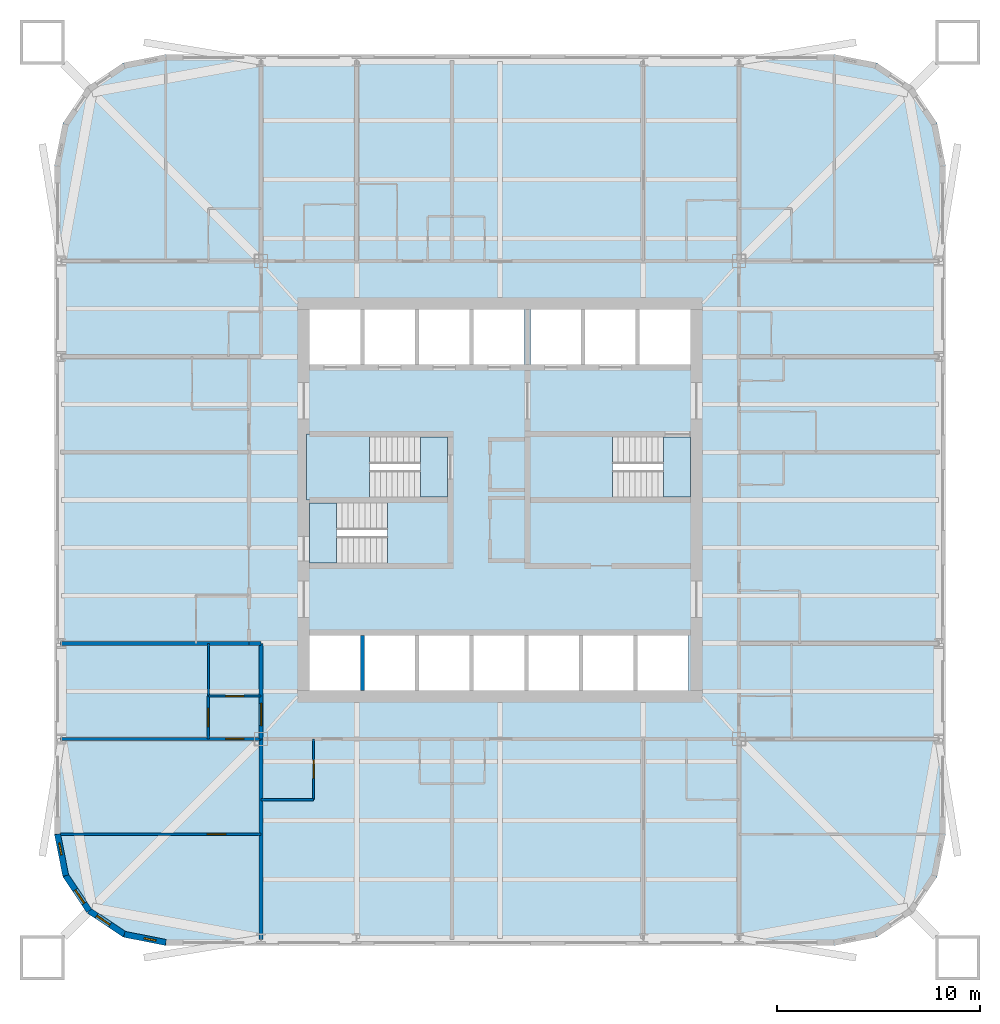
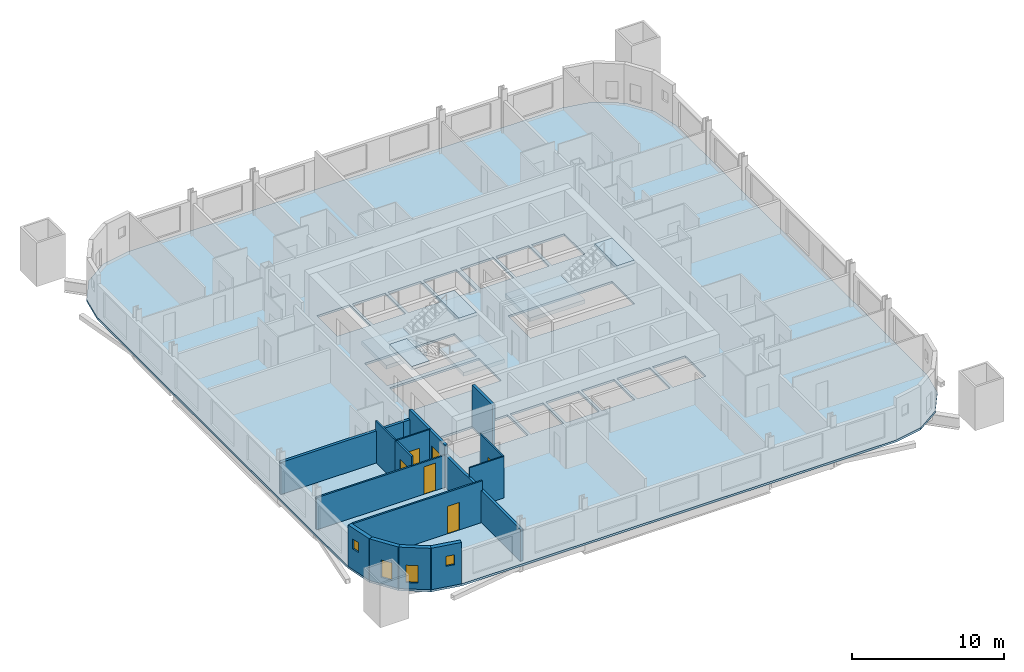
# One storey, part 2 of 9: 16 walls, 7 slabs, 6 doors, 4 windows, 10 openings, 3 elements without a shape of their own.
"""IFC4 building model written with IfcOpenShell, lengths in metres."""

from ifc_helpers import new_model, si_unit, direction, frame, frame_2d, origin, place, context, subcontext, project, spatial, polyline, rectangle, outline, extrude, material, layer, layer_set, type_object, element, fill, aggregate, save


model = new_model("IFC4")

# Units and contexts
model_context = context("Model", 3, precision=1e-05, world=origin(), true_north=direction((0.0, 1.0)))
body_context = subcontext(model_context, "Body", "Model", "MODEL_VIEW")
ifc_project = project(units=[si_unit("LENGTHUNIT", "METRE"), si_unit("AREAUNIT", "SQUARE_METRE"), si_unit("VOLUMEUNIT", "CUBIC_METRE"), si_unit("PLANEANGLEUNIT", "RADIAN"), si_unit("MASSUNIT", "GRAM", prefix="KILO")], contexts=[model_context])

# Site, building, storey
site_placement = place(None, origin())
site = spatial("IfcSite", under=ifc_project, at=site_placement, CompositionType="ELEMENT")
building_placement = place(site_placement, origin())
building = spatial("IfcBuilding", under=site, at=building_placement, Name="Turquesa Mirador Hotel Tower", CompositionType="ELEMENT")
storey_placement = place(building_placement, frame((0.0, 0.0, 81.0)))
storey = spatial("IfcBuildingStorey", under=building, at=storey_placement, Name="L21", CompositionType="ELEMENT", Elevation=81.0)

# Slab
ifc_material_1 = material(Name="Concrete C28/35", Category="concrete")
ifc_layer_1 = layer(ifc_material_1, 0.169921875)
ifc_layer_set_1 = layer_set([ifc_layer_1], Name="COMPOSITE FLOOR SLAB 170")
slab_type_1 = type_object("IfcSlabType", Name="COMPOSITE FLOOR SLAB 170", PredefinedType="FLOOR", material=ifc_layer_set_1)
slab_1_placement = place(storey_placement, frame((0.0, 0.0, -0.169921875)))
element("IfcSlab", 1, at=slab_1_placement, inside=storey, type_object=slab_type_1, Name="Floor slab L21", PredefinedType="FLOOR", context=body_context, shape_type="SweptSolid", body=[
    extrude(outline(polyline([(71.5, 23.0), (73.604736328125, 23.418701171875), (75.38916015625, 24.61083984375), (76.581298828125, 26.395263671875), (77.0, 28.5), (77.0, 61.5), (76.581298828125, 63.604736328125), (75.38916015625, 65.38916015625), (73.604736328125, 66.581298828125), (71.5, 67.0), (38.5, 67.0), (36.395263671875, 66.581298828125), (34.61083984375, 65.38916015625), (33.418701171875, 63.604736328125), (33.0, 61.5), (33.0, 28.5), (33.418701171875, 26.395263671875), (34.61083984375, 24.61083984375), (36.395263671875, 23.418701171875), (38.5, 23.0), (71.5, 23.0)]), holes=[polyline([(45.60009765625, 51.699951171875), (48.10009765625, 51.699951171875), (48.10009765625, 54.39990234375), (45.60009765625, 54.39990234375), (45.60009765625, 51.699951171875)]), polyline([(48.300048828125, 51.699951171875), (50.800048828125, 51.699951171875), (50.800048828125, 54.39990234375), (48.300048828125, 54.39990234375), (48.300048828125, 51.699951171875)]), polyline([(51.0, 51.699951171875), (53.5, 51.699951171875), (53.5, 54.39990234375), (51.0, 54.39990234375), (51.0, 51.699951171875)]), polyline([(53.699951171875, 51.699951171875), (56.199951171875, 51.699951171875), (56.199951171875, 54.39990234375), (53.699951171875, 54.39990234375), (53.699951171875, 51.699951171875)]), polyline([(56.5, 51.699951171875), (59.0, 51.699951171875), (59.0, 54.39990234375), (56.5, 54.39990234375), (56.5, 51.699951171875)]), polyline([(59.199951171875, 51.699951171875), (61.699951171875, 51.699951171875), (61.699951171875, 54.39990234375), (59.199951171875, 54.39990234375), (59.199951171875, 51.699951171875)]), polyline([(45.60009765625, 35.60009765625), (48.10009765625, 35.60009765625), (48.10009765625, 38.300048828125), (45.60009765625, 38.300048828125), (45.60009765625, 35.60009765625)]), polyline([(48.300048828125, 35.60009765625), (50.800048828125, 35.60009765625), (50.800048828125, 38.300048828125), (48.300048828125, 38.300048828125), (48.300048828125, 35.60009765625)]), polyline([(51.0, 35.60009765625), (53.5, 35.60009765625), (53.5, 38.300048828125), (51.0, 38.300048828125), (51.0, 35.60009765625)]), polyline([(53.699951171875, 35.60009765625), (56.199951171875, 35.60009765625), (56.199951171875, 38.300048828125), (53.699951171875, 38.300048828125), (53.699951171875, 35.60009765625)]), polyline([(56.39990234375, 35.60009765625), (58.89990234375, 35.60009765625), (58.89990234375, 38.300048828125), (56.39990234375, 38.300048828125), (56.39990234375, 35.60009765625)]), polyline([(59.10009765625, 35.60009765625), (61.60009765625, 35.60009765625), (61.60009765625, 38.300048828125), (59.10009765625, 38.300048828125), (59.10009765625, 35.60009765625)]), polyline([(61.800048828125, 35.60009765625), (64.300048828125, 35.60009765625), (64.300048828125, 38.300048828125), (61.800048828125, 38.300048828125), (61.800048828125, 35.60009765625)]), polyline([(45.60009765625, 45.14990234375), (52.39990234375, 45.14990234375), (52.39990234375, 48.10009765625), (45.60009765625, 48.10009765625), (45.60009765625, 45.14990234375)]), polyline([(45.60009765625, 41.89990234375), (52.39990234375, 41.89990234375), (52.39990234375, 44.85009765625), (45.60009765625, 44.85009765625), (45.60009765625, 41.89990234375)]), polyline([(56.5, 45.14990234375), (64.39990234375, 45.14990234375), (64.39990234375, 48.10009765625), (56.5, 48.10009765625), (56.5, 45.14990234375)]), polyline([(61.89990234375, 51.699951171875), (64.39990234375, 51.699951171875), (64.39990234375, 54.39990234375), (61.89990234375, 54.39990234375), (61.89990234375, 51.699951171875)])]), origin(), (0.0, 0.0, 1.0), 0.169921875),
])

# Stair, slabs
ifc_material_2 = material(Name="Concrete C35/45", Category="concrete")
stair_type = type_object("IfcStairType", Name="ESCAPE STAIR CORE", PredefinedType="HALF_TURN_STAIR", material=ifc_material_2)
stair_1_placement = place(storey_placement, origin())
stair_1 = element("IfcStair", 2, at=stair_1_placement, inside=storey, type_object=stair_type, Name="Stair ST1 L21 to L22", PredefinedType="HALF_TURN_STAIR")
ifc_material_3 = material(Name="Concrete C35/45", Category="concrete")
ifc_layer_2 = layer(ifc_material_3, 0.300048828125)
ifc_layer_set_2 = layer_set([ifc_layer_2], Name="STAIR LANDING 300")
slab_type_2 = type_object("IfcSlabType", Name="STAIR LANDING 300", PredefinedType="LANDING", material=ifc_layer_set_2)
slab_2_placement = place(storey_placement, frame((0.0, 0.0, 1.449951171875)))
slab_2 = element("IfcSlab", 3, at=slab_2_placement, type_object=slab_type_2, Name="ST1 landing 1", PredefinedType="LANDING", context=body_context, shape_type="SweptSolid", body=[
    extrude(outline(polyline([(45.449951171875, 45.0), (48.550048828125, 45.0), (48.550048828125, 48.25), (45.449951171875, 48.25), (45.449951171875, 45.0)])), origin(), (0.0, 0.0, 1.0), 0.300048828125),
])
slab_3_placement = place(storey_placement, frame((0.0, 0.0, 3.199951171875)))
slab_3 = element("IfcSlab", 4, at=slab_3_placement, type_object=slab_type_2, Name="ST1 landing 2", PredefinedType="LANDING", context=body_context, shape_type="SweptSolid", body=[
    extrude(outline(polyline([(51.070068359375, 45.14990234375), (52.39990234375, 45.14990234375), (52.39990234375, 48.10009765625), (51.070068359375, 48.10009765625), (51.070068359375, 45.14990234375)])), origin(), (0.0, 0.0, 1.0), 0.300048828125),
])
aggregate(stair_1, [slab_2, slab_3])

stair_2_placement = place(storey_placement, origin())
stair_2 = element("IfcStair", 5, at=stair_2_placement, inside=storey, type_object=stair_type, Name="Stair ST2 L21 to L22", PredefinedType="HALF_TURN_STAIR")
slab_4_placement = place(storey_placement, frame((0.0, 0.0, 1.449951171875)))
slab_4 = element("IfcSlab", 6, at=slab_4_placement, type_object=slab_type_2, Name="ST2 landing 1", PredefinedType="LANDING", context=body_context, shape_type="SweptSolid", body=[
    extrude(outline(polyline([(52.550048828125, 45.0), (49.449951171875, 45.0), (49.449951171875, 41.75), (52.550048828125, 41.75), (52.550048828125, 45.0)])), origin(), (0.0, 0.0, 1.0), 0.300048828125),
])
slab_5_placement = place(storey_placement, frame((0.0, 0.0, 3.199951171875)))
slab_5 = element("IfcSlab", 7, at=slab_5_placement, type_object=slab_type_2, Name="ST2 landing 2", PredefinedType="LANDING", context=body_context, shape_type="SweptSolid", body=[
    extrude(outline(polyline([(46.929931640625, 44.85009765625), (45.60009765625, 44.85009765625), (45.60009765625, 41.89990234375), (46.929931640625, 41.89990234375), (46.929931640625, 44.85009765625)])), origin(), (0.0, 0.0, 1.0), 0.300048828125),
])
aggregate(stair_2, [slab_4, slab_5])

stair_3_placement = place(storey_placement, origin())
stair_3 = element("IfcStair", 8, at=stair_3_placement, inside=storey, type_object=stair_type, Name="Stair ST3 L21 to L22", PredefinedType="HALF_TURN_STAIR")
slab_6_placement = place(storey_placement, frame((0.0, 0.0, 1.449951171875)))
slab_6 = element("IfcSlab", 9, at=slab_6_placement, type_object=slab_type_2, Name="ST3 landing 1", PredefinedType="LANDING", context=body_context, shape_type="SweptSolid", body=[
    extrude(outline(polyline([(56.35009765625, 45.0), (60.550048828125, 45.0), (60.550048828125, 48.25), (56.35009765625, 48.25), (56.35009765625, 45.0)])), origin(), (0.0, 0.0, 1.0), 0.300048828125),
])
slab_7_placement = place(storey_placement, frame((0.0, 0.0, 3.199951171875)))
slab_7 = element("IfcSlab", 10, at=slab_7_placement, type_object=slab_type_2, Name="ST3 landing 2", PredefinedType="LANDING", context=body_context, shape_type="SweptSolid", body=[
    extrude(outline(polyline([(63.070068359375, 45.14990234375), (64.39990234375, 45.14990234375), (64.39990234375, 48.10009765625), (63.070068359375, 48.10009765625), (63.070068359375, 45.14990234375)])), origin(), (0.0, 0.0, 1.0), 0.300048828125),
])
aggregate(stair_3, [slab_6, slab_7])

# Wall
ifc_material_4 = material(Name="Gypsum board on steel studs", Category="steel")
ifc_layer_3 = layer(ifc_material_4, 0.10009765625)
ifc_layer_set_3 = layer_set([ifc_layer_3], Name="BATHROOM WALL 100")
wall_type_1 = type_object("IfcWallType", Name="BATHROOM WALL 100", PredefinedType="PARTITIONING", material=ifc_layer_set_3)
wall_1_placement = place(storey_placement, frame((43.199951171875, 30.199951171875, 0.0), z_axis=(0.0, 0.0, 1.0), x_axis=(1.0, 0.0, 0.0)))
element("IfcWall", 11, at=wall_1_placement, inside=storey, type_object=wall_type_1, Name="Partition L21 006", PredefinedType="PARTITIONING", context=body_context, shape_type="SweptSolid", body=[
    extrude(rectangle(XDim=2.60009765625, YDim=0.10009765625, at=frame_2d((1.300048828125, 0.0))), origin(), (0.0, 0.0, 1.0), 3.330078125),
])

# Wall, opening, door
wall_2_placement = place(storey_placement, frame((40.60009765625, 35.320068359375, 0.0), z_axis=(0.0, 0.0, 1.0), x_axis=(1.0, 0.0, 0.0)))
wall_2 = element("IfcWall", 12, at=wall_2_placement, inside=storey, type_object=wall_type_1, Name="Partition L21 015", PredefinedType="PARTITIONING", context=body_context, shape_type="SweptSolid", body=[
    extrude(rectangle(XDim=2.599853515625, YDim=0.10009765625, at=frame_2d((1.2998046875, 0.0))), origin(), (0.0, 0.0, 1.0), 3.330078125),
])
opening_1_placement = place(wall_2_placement, frame((0.85009765625, 0.0, 0.0)))
opening_1 = element("IfcOpeningElement", 13, at=opening_1_placement, cuts=wall_2, Name="Opening D02", PredefinedType="OPENING", context=body_context, shape_type="SweptSolid", body=[
    extrude(rectangle(XDim=0.89990234375, YDim=2.10009765625, at=frame_2d((0.449951171875, 1.050048828125))), frame((0.0, 0.06005859375, 0.0), z_axis=(0.0, -1.0, 0.0), x_axis=(1.0, 0.0, 0.0)), (0.0, 0.0, 1.0), 0.1201171875),
])
ifc_material_5 = material(Name="Timber veneered door", Category="wood")
door_type_1 = type_object("IfcDoorType", Name="DOOR 900X2100 EN-SUITE", OperationType="SINGLE_SWING_RIGHT", PredefinedType="DOOR", material=ifc_material_5)
door_1_placement = place(opening_1_placement, origin())
door_1 = element("IfcDoor", 14, at=door_1_placement, inside=storey, type_object=door_type_1, Name="Door 2111B", OperationType="SINGLE_SWING_RIGHT", OverallHeight=2.10009765625, OverallWidth=0.89990234375, PredefinedType="DOOR", context=body_context, shape_type="SweptSolid", body=[
    extrude(rectangle(XDim=0.89990234375, YDim=2.10009765625, at=frame_2d((0.449951171875, 1.050048828125))), frame((0.0, 0.02490234375, 0.0), z_axis=(0.0, -1.0, 0.0), x_axis=(1.0, 0.0, 0.0)), (0.0, 0.0, 1.0), 0.050048828125),
])
fill(opening_1, door_1)

# Wall
wall_3_placement = place(storey_placement, frame((40.60009765625, 35.320068359375, 0.0), z_axis=(0.0, 0.0, 1.0), x_axis=(0.0, 1.0, 0.0)))
element("IfcWall", 15, at=wall_3_placement, inside=storey, type_object=wall_type_1, Name="Partition L21 048", PredefinedType="PARTITIONING", context=body_context, shape_type="SweptSolid", body=[
    extrude(rectangle(XDim=2.599853515625, YDim=0.10009765625, at=frame_2d((1.2998046875, 0.0))), origin(), (0.0, 0.0, 1.0), 3.330078125),
])

# Wall, opening, door
wall_4_placement = place(storey_placement, frame((45.800048828125, 30.199951171875, 0.0), z_axis=(0.0, 0.0, 1.0), x_axis=(0.0, 1.0, 0.0)))
wall_4 = element("IfcWall", 16, at=wall_4_placement, inside=storey, type_object=wall_type_1, Name="Partition L21 060", PredefinedType="PARTITIONING", context=body_context, shape_type="SweptSolid", body=[
    extrude(rectangle(XDim=3.0, YDim=0.10009765625, at=frame_2d((1.5, 0.0))), origin(), (0.0, 0.0, 1.0), 3.330078125),
])
opening_2_placement = place(wall_4_placement, frame((1.050048828125, 0.0, 0.0)))
opening_2 = element("IfcOpeningElement", 17, at=opening_2_placement, cuts=wall_4, Name="Opening D02", PredefinedType="OPENING", context=body_context, shape_type="SweptSolid", body=[
    extrude(rectangle(XDim=0.89990234375, YDim=2.10009765625, at=frame_2d((0.449951171875, 1.050048828125))), frame((0.0, 0.06005859375, 0.0), z_axis=(0.0, -1.0, 0.0), x_axis=(1.0, 0.0, 0.0)), (0.0, 0.0, 1.0), 0.1201171875),
])
door_2_placement = place(opening_2_placement, origin())
door_2 = element("IfcDoor", 18, at=door_2_placement, inside=storey, type_object=door_type_1, Name="Door 2104B", OperationType="SINGLE_SWING_RIGHT", OverallHeight=2.10009765625, OverallWidth=0.89990234375, PredefinedType="DOOR", context=body_context, shape_type="SweptSolid", body=[
    extrude(rectangle(XDim=0.89990234375, YDim=2.10009765625, at=frame_2d((0.449951171875, 1.050048828125))), frame((0.0, 0.02490234375, 0.0), z_axis=(0.0, -1.0, 0.0), x_axis=(1.0, 0.0, 0.0)), (0.0, 0.0, 1.0), 0.050048828125),
])
fill(opening_2, door_2)

# Wall
ifc_material_6 = material(Name="Fire-rated gypsum board on steel studs", Category="steel")
ifc_layer_4 = layer(ifc_material_6, 0.199951171875)
ifc_layer_set_4 = layer_set([ifc_layer_4], Name="CORRIDOR WALL 200")
wall_type_2 = type_object("IfcWallType", Name="CORRIDOR WALL 200", PredefinedType="PARTITIONING", material=ifc_layer_set_4)
wall_5_placement = place(storey_placement, frame((42.60009765625, 37.919921875, 0.0), z_axis=(0.0, 0.0, 1.0), x_axis=(1.0, 0.0, 0.0)))
element("IfcWall", 19, at=wall_5_placement, inside=storey, type_object=wall_type_2, Name="Partition L21 012", PredefinedType="PARTITIONING", context=body_context, shape_type="SweptSolid", body=[
    extrude(rectangle(XDim=0.599853515625, YDim=0.199951171875, at=frame_2d((0.2998046875, 0.0))), origin(), (0.0, 0.0, 1.0), 2.572998046875),
])

# Wall, opening, door
wall_6_placement = place(storey_placement, frame((43.199951171875, 33.199951171875, 0.0), z_axis=(0.0, 0.0, 1.0), x_axis=(0.0, 1.0, 0.0)))
wall_6 = element("IfcWall", 20, at=wall_6_placement, inside=storey, type_object=wall_type_2, Name="Partition L21 042", PredefinedType="PARTITIONING", context=body_context, shape_type="SweptSolid", body=[
    extrude(rectangle(XDim=4.719970703125, YDim=0.199951171875, at=frame_2d((2.35986328125, 0.0))), origin(), (0.0, 0.0, 1.0), 3.330078125),
])
opening_3_placement = place(wall_6_placement, frame((0.659912109375, 0.0, 0.0)))
opening_3 = element("IfcOpeningElement", 21, at=opening_3_placement, cuts=wall_6, Name="Opening D15", PredefinedType="OPENING", context=body_context, shape_type="SweptSolid", body=[
    extrude(rectangle(XDim=1.10009765625, YDim=2.199951171875, at=frame_2d((0.550048828125, 1.10009765625))), frame((0.0, 0.10986328125, 0.0), z_axis=(0.0, -1.0, 0.0), x_axis=(1.0, 0.0, 0.0)), (0.0, 0.0, 1.0), 0.219970703125),
])
ifc_material_7 = material(Name="Timber veneered fire door", Category="wood")
door_type_2 = type_object("IfcDoorType", Name="DOOR 1100X2200 SUITE ENTRY", OperationType="SINGLE_SWING_LEFT", PredefinedType="DOOR", material=ifc_material_7)
door_3_placement = place(opening_3_placement, origin())
door_3 = element("IfcDoor", 22, at=door_3_placement, inside=storey, type_object=door_type_2, Name="Door 2111H", OperationType="SINGLE_SWING_LEFT", OverallHeight=2.199951171875, OverallWidth=1.10009765625, PredefinedType="DOOR", context=body_context, shape_type="SweptSolid", body=[
    extrude(rectangle(XDim=1.10009765625, YDim=2.199951171875, at=frame_2d((0.550048828125, 1.10009765625))), frame((0.0, 0.02490234375, 0.0), z_axis=(0.0, -1.0, 0.0), x_axis=(1.0, 0.0, 0.0)), (0.0, 0.0, 1.0), 0.050048828125),
])
fill(opening_3, door_3)

# Wall, opening, window
ifc_material_8 = material(Name="Limestone cladding on concrete block", Category="masonry")
ifc_layer_5 = layer(ifc_material_8, 0.300048828125)
ifc_layer_set_5 = layer_set([ifc_layer_5], Name="FACADE WALL 300 STONE SCREEN")
wall_type_3 = type_object("IfcWallType", Name="FACADE WALL 300 STONE SCREEN", PredefinedType="SOLIDWALL", material=ifc_layer_set_5)
wall_7_placement = place(storey_placement, frame((33.14990234375, 28.5, 0.0), z_axis=(0.0, 0.0, 1.0), x_axis=(0.195081421501, -0.980787050784, 0.0)))
wall_7 = element("IfcWall", 23, at=wall_7_placement, inside=storey, type_object=wall_type_3, Name="Facade wall L21 15", PredefinedType="SOLIDWALL", context=body_context, shape_type="SweptSolid", body=[
    extrude(rectangle(XDim=2.08740234375, YDim=0.300048828125, at=frame_2d((1.043701171875, 0.0))), origin(), (0.0, 0.0, 1.0), 3.330078125),
])
opening_4_placement = place(wall_7_placement, frame((0.443603515625, 0.0, 1.64990234375)))
opening_4 = element("IfcOpeningElement", 24, at=opening_4_placement, cuts=wall_7, Name="Opening WN10", PredefinedType="OPENING", context=body_context, shape_type="SweptSolid", body=[
    extrude(rectangle(XDim=0.60009765625, YDim=0.800048828125, at=frame_2d((0.300048828125, 0.39990234375))), frame((0.0, 0.159912109375, 0.0), z_axis=(0.0, -1.0, 0.0), x_axis=(1.0, 0.0, 0.0)), (0.0, 0.0, 1.0), 0.320068359375),
])
ifc_material_9 = material(Name="Ceramic-fritted laminated glass", Category="glass")
window_type_1 = type_object("IfcWindowType", Name="FRITTED CORNER WINDOW 600X800", PartitioningType="DOUBLE_PANEL_HORIZONTAL", PredefinedType="WINDOW", material=ifc_material_9)
window_1_placement = place(opening_4_placement, origin())
window_1 = element("IfcWindow", 25, at=window_1_placement, inside=storey, type_object=window_type_1, Name="Window L21", OverallHeight=0.800048828125, OverallWidth=0.60009765625, PartitioningType="SINGLE_PANEL", PredefinedType="WINDOW", context=body_context, shape_type="SweptSolid", body=[
    extrude(rectangle(XDim=0.60009765625, YDim=0.800048828125, at=frame_2d((0.300048828125, 0.39990234375))), frame((0.0, 0.030029296875, 0.0), z_axis=(0.0, -1.0, 0.0), x_axis=(1.0, 0.0, 0.0)), (0.0, 0.0, 1.0), 0.06005859375),
])
fill(opening_4, window_1)

wall_8_placement = place(storey_placement, frame((33.55712890625, 26.45263671875, 0.0), z_axis=(0.0, 0.0, 1.0), x_axis=(0.555644460423, -0.831420010345, 0.0)))
wall_8 = element("IfcWall", 26, at=wall_8_placement, inside=storey, type_object=wall_type_3, Name="Facade wall L21 16", PredefinedType="SOLIDWALL", context=body_context, shape_type="SweptSolid", body=[
    extrude(rectangle(XDim=2.08740234375, YDim=0.300048828125, at=frame_2d((1.043701171875, 0.0))), origin(), (0.0, 0.0, 1.0), 3.330078125),
])
opening_5_placement = place(wall_8_placement, frame((0.84375, 0.0, 0.5)))
opening_5 = element("IfcOpeningElement", 27, at=opening_5_placement, cuts=wall_8, Name="Opening WN20", PredefinedType="OPENING", context=body_context, shape_type="SweptSolid", body=[
    extrude(rectangle(XDim=0.800048828125, YDim=1.39990234375, at=frame_2d((0.39990234375, 0.699951171875))), frame((0.0, 0.159912109375, 0.0), z_axis=(0.0, -1.0, 0.0), x_axis=(1.0, 0.0, 0.0)), (0.0, 0.0, 1.0), 0.320068359375),
])
ifc_material_10 = material(Name="Ceramic-fritted laminated glass", Category="glass")
window_type_2 = type_object("IfcWindowType", Name="FRITTED CORNER WINDOW 800X1400", PartitioningType="DOUBLE_PANEL_HORIZONTAL", PredefinedType="WINDOW", material=ifc_material_10)
window_2_placement = place(opening_5_placement, origin())
window_2 = element("IfcWindow", 28, at=window_2_placement, inside=storey, type_object=window_type_2, Name="Window L21", OverallHeight=1.39990234375, OverallWidth=0.800048828125, PartitioningType="SINGLE_PANEL", PredefinedType="WINDOW", context=body_context, shape_type="SweptSolid", body=[
    extrude(rectangle(XDim=0.800048828125, YDim=1.39990234375, at=frame_2d((0.39990234375, 0.699951171875))), frame((0.0, 0.030029296875, 0.0), z_axis=(0.0, -1.0, 0.0), x_axis=(1.0, 0.0, 0.0)), (0.0, 0.0, 1.0), 0.06005859375),
])
fill(opening_5, window_2)

wall_9_placement = place(storey_placement, frame((34.717041015625, 24.717041015625, 0.0), z_axis=(0.0, 0.0, 1.0), x_axis=(0.831420010345, -0.555644460423, 0.0)))
wall_9 = element("IfcWall", 29, at=wall_9_placement, inside=storey, type_object=wall_type_3, Name="Facade wall L21 17", PredefinedType="SOLIDWALL", context=body_context, shape_type="SweptSolid", body=[
    extrude(rectangle(XDim=2.08740234375, YDim=0.300048828125, at=frame_2d((1.043701171875, 0.0))), origin(), (0.0, 0.0, 1.0), 3.330078125),
])
opening_6_placement = place(wall_9_placement, frame((0.443603515625, 0.0, 0.5)))
opening_6 = element("IfcOpeningElement", 30, at=opening_6_placement, cuts=wall_9, Name="Opening WN20", PredefinedType="OPENING", context=body_context, shape_type="SweptSolid", body=[
    extrude(rectangle(XDim=0.800048828125, YDim=1.39990234375, at=frame_2d((0.39990234375, 0.699951171875))), frame((0.0, 0.159912109375, 0.0), z_axis=(0.0, -1.0, 0.0), x_axis=(1.0, 0.0, 0.0)), (0.0, 0.0, 1.0), 0.320068359375),
])
window_3_placement = place(opening_6_placement, origin())
window_3 = element("IfcWindow", 31, at=window_3_placement, inside=storey, type_object=window_type_2, Name="Window L21", OverallHeight=1.39990234375, OverallWidth=0.800048828125, PartitioningType="SINGLE_PANEL", PredefinedType="WINDOW", context=body_context, shape_type="SweptSolid", body=[
    extrude(rectangle(XDim=0.800048828125, YDim=1.39990234375, at=frame_2d((0.39990234375, 0.699951171875))), frame((0.0, 0.030029296875, 0.0), z_axis=(0.0, -1.0, 0.0), x_axis=(1.0, 0.0, 0.0)), (0.0, 0.0, 1.0), 0.06005859375),
])
fill(opening_6, window_3)

wall_10_placement = place(storey_placement, frame((36.45263671875, 23.55712890625, 0.0), z_axis=(0.0, 0.0, 1.0), x_axis=(0.980787050784, -0.195081421501, 0.0)))
wall_10 = element("IfcWall", 32, at=wall_10_placement, inside=storey, type_object=wall_type_3, Name="Facade wall L21 18", PredefinedType="SOLIDWALL", context=body_context, shape_type="SweptSolid", body=[
    extrude(rectangle(XDim=2.08740234375, YDim=0.300048828125, at=frame_2d((1.043701171875, 0.0))), origin(), (0.0, 0.0, 1.0), 3.330078125),
])
opening_7_placement = place(wall_10_placement, frame((0.99365234375, 0.0, 1.64990234375)))
opening_7 = element("IfcOpeningElement", 33, at=opening_7_placement, cuts=wall_10, Name="Opening WN10", PredefinedType="OPENING", context=body_context, shape_type="SweptSolid", body=[
    extrude(rectangle(XDim=0.60009765625, YDim=0.800048828125, at=frame_2d((0.300048828125, 0.39990234375))), frame((0.0, 0.159912109375, 0.0), z_axis=(0.0, -1.0, 0.0), x_axis=(1.0, 0.0, 0.0)), (0.0, 0.0, 1.0), 0.320068359375),
])
window_4_placement = place(opening_7_placement, origin())
window_4 = element("IfcWindow", 34, at=window_4_placement, inside=storey, type_object=window_type_1, Name="Window L21", OverallHeight=0.800048828125, OverallWidth=0.60009765625, PartitioningType="SINGLE_PANEL", PredefinedType="WINDOW", context=body_context, shape_type="SweptSolid", body=[
    extrude(rectangle(XDim=0.60009765625, YDim=0.800048828125, at=frame_2d((0.300048828125, 0.39990234375))), frame((0.0, 0.030029296875, 0.0), z_axis=(0.0, -1.0, 0.0), x_axis=(1.0, 0.0, 0.0)), (0.0, 0.0, 1.0), 0.06005859375),
])
fill(opening_7, window_4)

# Walls
ifc_material_11 = material(Name="Fire-rated gypsum shaft wall on steel studs", Category="steel")
ifc_layer_6 = layer(ifc_material_11, 0.199951171875)
ifc_layer_set_6 = layer_set([ifc_layer_6], Name="LIFT SHAFT DIVIDER 200")
wall_type_4 = type_object("IfcWallType", Name="LIFT SHAFT DIVIDER 200", PredefinedType="PARTITIONING", material=ifc_layer_set_6)
wall_11_placement = place(storey_placement, frame((48.199951171875, 35.60009765625, 0.0), z_axis=(0.0, 0.0, 1.0), x_axis=(0.0, 1.0, 0.0)))
element("IfcWall", 35, at=wall_11_placement, inside=storey, type_object=wall_type_4, Name="Lift shaft divider", PredefinedType="PARTITIONING", context=body_context, shape_type="SweptSolid", body=[
    extrude(rectangle(XDim=2.699951171875, YDim=0.199951171875, at=frame_2d((1.35009765625, 0.0))), origin(), (0.0, 0.0, 1.0), 3.330078125),
])
ifc_material_12 = material(Name="Fire-rated gypsum board on steel studs", Category="steel")
ifc_layer_7 = layer(ifc_material_12, 0.199951171875)
ifc_layer_set_7 = layer_set([ifc_layer_7], Name="PARTY WALL 200")
wall_type_5 = type_object("IfcWallType", Name="PARTY WALL 200", PredefinedType="PARTITIONING", material=ifc_layer_set_7)
wall_12_placement = place(storey_placement, frame((33.300048828125, 37.919921875, 0.0), z_axis=(0.0, 0.0, 1.0), x_axis=(1.0, 0.0, 0.0)))
element("IfcWall", 36, at=wall_12_placement, inside=storey, type_object=wall_type_5, Name="Partition L21 013", PredefinedType="PARTITIONING", context=body_context, shape_type="SweptSolid", body=[
    extrude(rectangle(XDim=9.300048828125, YDim=0.199951171875, at=frame_2d((4.64990234375, 0.0))), origin(), (0.0, 0.0, 1.0), 2.572998046875),
])
wall_13_placement = place(storey_placement, frame((43.199951171875, 23.300048828125, 0.0), z_axis=(0.0, 0.0, 1.0), x_axis=(0.0, 1.0, 0.0)))
element("IfcWall", 37, at=wall_13_placement, inside=storey, type_object=wall_type_5, Name="Partition L21 044", PredefinedType="PARTITIONING", context=body_context, shape_type="SweptSolid", body=[
    extrude(rectangle(XDim=9.89990234375, YDim=0.199951171875, at=frame_2d((4.949951171875, 0.0))), origin(), (0.0, 0.0, 1.0), 2.572998046875),
])

# Wall, opening, door
ifc_material_13 = material(Name="Acoustic gypsum board on steel studs", Category="steel")
ifc_layer_8 = layer(ifc_material_13, 0.125)
ifc_layer_set_8 = layer_set([ifc_layer_8], Name="SUITE PARTITION 125")
wall_type_6 = type_object("IfcWallType", Name="SUITE PARTITION 125", PredefinedType="PARTITIONING", material=ifc_layer_set_8)
wall_14_placement = place(storey_placement, frame((33.300048828125, 33.199951171875, 0.0), z_axis=(0.0, 0.0, 1.0), x_axis=(1.0, 0.0, 0.0)))
wall_14 = element("IfcWall", 38, at=wall_14_placement, inside=storey, type_object=wall_type_6, Name="Partition L21 002", PredefinedType="PARTITIONING", context=body_context, shape_type="SweptSolid", body=[
    extrude(rectangle(XDim=9.89990234375, YDim=0.125, at=frame_2d((4.949951171875, 0.0))), origin(), (0.0, 0.0, 1.0), 2.572998046875),
])
opening_8_placement = place(wall_14_placement, frame((8.14990234375, 0.0, 0.0)))
opening_8 = element("IfcOpeningElement", 39, at=opening_8_placement, cuts=wall_14, Name="Opening D17", PredefinedType="OPENING", context=body_context, shape_type="SweptSolid", body=[
    extrude(rectangle(XDim=0.89990234375, YDim=2.199951171875, at=frame_2d((0.449951171875, 1.10009765625))), frame((0.0, 0.072509765625, 0.0), z_axis=(0.0, -1.0, 0.0), x_axis=(1.0, 0.0, 0.0)), (0.0, 0.0, 1.0), 0.14501953125),
])
ifc_material_14 = material(Name="Timber veneered door", Category="wood")
door_type_3 = type_object("IfcDoorType", Name="DOOR 900X2200 SUITE INTERNAL", OperationType="SINGLE_SWING_LEFT", PredefinedType="DOOR", material=ifc_material_14)
door_4_placement = place(opening_8_placement, origin())
door_4 = element("IfcDoor", 40, at=door_4_placement, inside=storey, type_object=door_type_3, Name="Door 2111", OperationType="SINGLE_SWING_LEFT", OverallHeight=2.199951171875, OverallWidth=0.89990234375, PredefinedType="DOOR", context=body_context, shape_type="SweptSolid", body=[
    extrude(rectangle(XDim=0.89990234375, YDim=2.199951171875, at=frame_2d((0.449951171875, 1.10009765625))), frame((0.0, 0.02490234375, 0.0), z_axis=(0.0, -1.0, 0.0), x_axis=(1.0, 0.0, 0.0)), (0.0, 0.0, 1.0), 0.050048828125),
])
fill(opening_8, door_4)

wall_15_placement = place(storey_placement, frame((33.305908203125, 28.5, 0.0), z_axis=(0.0, 0.0, 1.0), x_axis=(1.0, 0.0, 0.0)))
wall_15 = element("IfcWall", 41, at=wall_15_placement, inside=storey, type_object=wall_type_6, Name="Partition L21 008", PredefinedType="PARTITIONING", context=body_context, shape_type="SweptSolid", body=[
    extrude(rectangle(XDim=9.89404296875, YDim=0.125, at=frame_2d((4.947021484375, 0.0))), origin(), (0.0, 0.0, 1.0), 3.330078125),
])
opening_9_placement = place(wall_15_placement, frame((7.244140625, 0.0, 0.0)))
opening_9 = element("IfcOpeningElement", 42, at=opening_9_placement, cuts=wall_15, Name="Opening D17", PredefinedType="OPENING", context=body_context, shape_type="SweptSolid", body=[
    extrude(rectangle(XDim=0.89990234375, YDim=2.199951171875, at=frame_2d((0.449951171875, 1.10009765625))), frame((0.0, 0.072509765625, 0.0), z_axis=(0.0, -1.0, 0.0), x_axis=(1.0, 0.0, 0.0)), (0.0, 0.0, 1.0), 0.14501953125),
])
door_5_placement = place(opening_9_placement, origin())
door_5 = element("IfcDoor", 43, at=door_5_placement, inside=storey, type_object=door_type_3, Name="Door 2111M", OperationType="SINGLE_SWING_LEFT", OverallHeight=2.199951171875, OverallWidth=0.89990234375, PredefinedType="DOOR", context=body_context, shape_type="SweptSolid", body=[
    extrude(rectangle(XDim=0.89990234375, YDim=2.199951171875, at=frame_2d((0.449951171875, 1.10009765625))), frame((0.0, 0.02490234375, 0.0), z_axis=(0.0, -1.0, 0.0), x_axis=(1.0, 0.0, 0.0)), (0.0, 0.0, 1.0), 0.050048828125),
])
fill(opening_9, door_5)

wall_16_placement = place(storey_placement, frame((40.60009765625, 33.199951171875, 0.0), z_axis=(0.0, 0.0, 1.0), x_axis=(0.0, 1.0, 0.0)))
wall_16 = element("IfcWall", 44, at=wall_16_placement, inside=storey, type_object=wall_type_6, Name="Partition L21 050", PredefinedType="PARTITIONING", context=body_context, shape_type="SweptSolid", body=[
    extrude(rectangle(XDim=2.1201171875, YDim=0.125, at=frame_2d((1.06005859375, 0.0))), origin(), (0.0, 0.0, 1.0), 3.330078125),
])
opening_10_placement = place(wall_16_placement, frame((0.610107421875, 0.0, 0.0)))
opening_10 = element("IfcOpeningElement", 45, at=opening_10_placement, cuts=wall_16, Name="Opening D17", PredefinedType="OPENING", context=body_context, shape_type="SweptSolid", body=[
    extrude(rectangle(XDim=0.89990234375, YDim=2.199951171875, at=frame_2d((0.449951171875, 1.10009765625))), frame((0.0, 0.072509765625, 0.0), z_axis=(0.0, -1.0, 0.0), x_axis=(1.0, 0.0, 0.0)), (0.0, 0.0, 1.0), 0.14501953125),
])
door_6_placement = place(opening_10_placement, origin())
door_6 = element("IfcDoor", 46, at=door_6_placement, inside=storey, type_object=door_type_3, Name="Door 2111R", OperationType="SINGLE_SWING_LEFT", OverallHeight=2.199951171875, OverallWidth=0.89990234375, PredefinedType="DOOR", context=body_context, shape_type="SweptSolid", body=[
    extrude(rectangle(XDim=0.89990234375, YDim=2.199951171875, at=frame_2d((0.449951171875, 1.10009765625))), frame((0.0, 0.02490234375, 0.0), z_axis=(0.0, -1.0, 0.0), x_axis=(1.0, 0.0, 0.0)), (0.0, 0.0, 1.0), 0.050048828125),
])
fill(opening_10, door_6)

save(model, "model.ifc")
